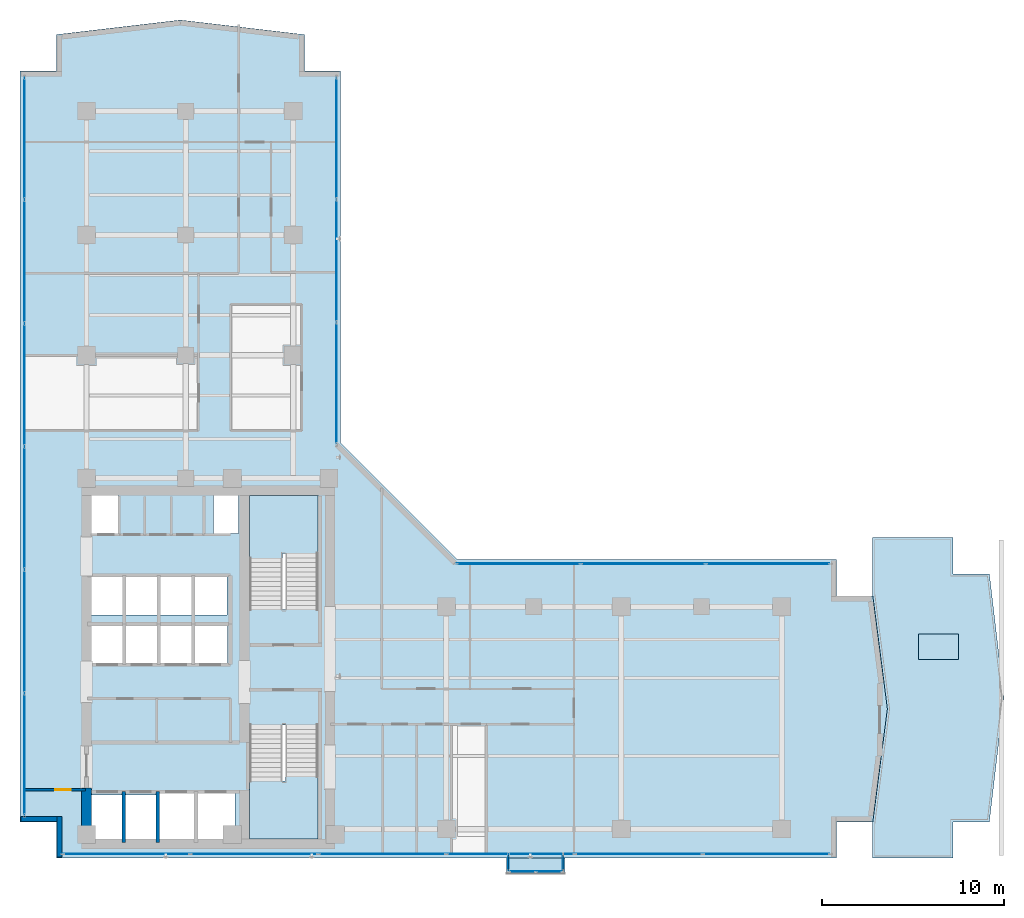
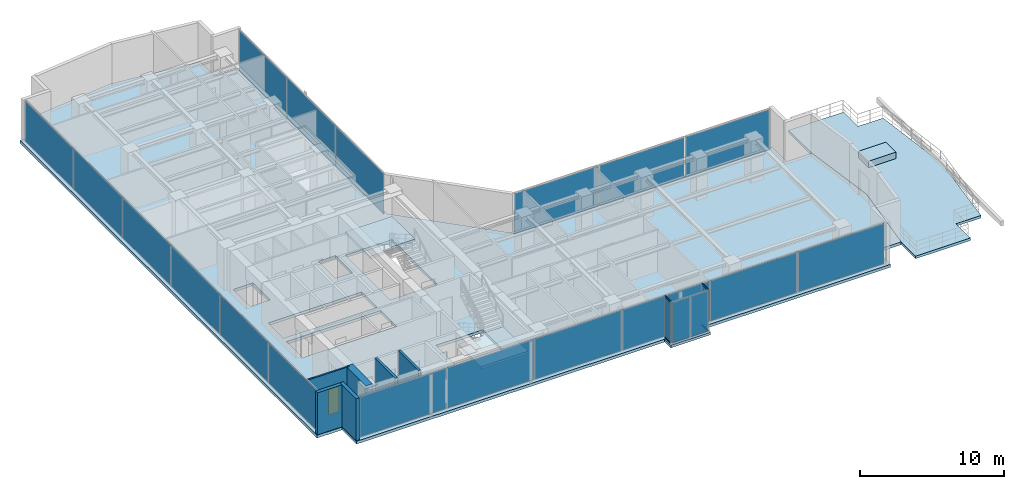
# One storey, part 16 of 25: 22 plates, 6 slabs, 6 walls, 4 members, 1 door, 1 opening, 9 elements without a shape of their own.
"""IFC4 building model written with IfcOpenShell, lengths in metres."""

from ifc_helpers import new_model, si_unit, direction, frame, frame_2d, origin, origin_with_axes, origin_2d, place, context, subcontext, project, spatial, polyline, rectangle, hollow_rectangle, outline, extrude, source, transform, mapped, material, layer, layer_set, material_profile, profile_set, type_object, element, fill, aggregate, save


model = new_model("IFC4")

# Units and contexts
model_context = context("Model", 3, precision=1e-05, world=origin(), true_north=direction((0.0, 1.0)))
body_context = subcontext(model_context, "Body", "Model", "MODEL_VIEW")
ifc_project = project(units=[si_unit("LENGTHUNIT", "METRE"), si_unit("AREAUNIT", "SQUARE_METRE"), si_unit("VOLUMEUNIT", "CUBIC_METRE"), si_unit("PLANEANGLEUNIT", "RADIAN"), si_unit("MASSUNIT", "GRAM", prefix="KILO")], contexts=[model_context])

# Site, building, storey
site_placement = place(None, origin())
site = spatial("IfcSite", under=ifc_project, at=site_placement, CompositionType="ELEMENT")
building_placement = place(site_placement, origin())
building = spatial("IfcBuilding", under=site, at=building_placement, Name="Kolvaren Waterfront Exchange", CompositionType="ELEMENT")
storey_placement = place(building_placement, frame((0.0, 0.0, 204.5)))
storey = spatial("IfcBuildingStorey", under=building, at=storey_placement, Name="L52", CompositionType="ELEMENT", Elevation=204.5)

# Curtain wall, members
ifc_material_1 = material(Name="Anodised bronze aluminium 6063-T6", Category="aluminium")
ifc_layer_1 = layer(ifc_material_1, 0.219970703125, Name="Anodised bronze aluminium 6063-T6")
ifc_layer_set_1 = layer_set([ifc_layer_1], Name="Anodised bronze aluminium 6063-T6")
curtain_wall_type_1 = type_object("IfcCurtainWallType", Name="ARC-CW-SYS3", PredefinedType="USERDEFINED", material=ifc_layer_set_1)
curtain_wall_1_placement = place(storey_placement, origin())
curtain_wall_1 = element("IfcCurtainWall", 1, at=curtain_wall_1_placement, inside=storey, type_object=curtain_wall_type_1, Name="L52 stick curtain wall CW3 (CW-L52-BOX-W)", ObjectType="STICK CURTAIN WALL", PredefinedType="USERDEFINED")
ifc_material_profile = material_profile(ifc_material_1, hollow_rectangle(XDim=0.06494140625, YDim=0.1298828125, WallThickness=0.00390625, at=origin_2d()), Name="ALU-TRN-130x65x4")
ifc_profile_set = profile_set([ifc_material_profile], Name="Anodised bronze aluminium 6063-T6")
member_type = type_object("IfcMemberType", Name="ARC-CWT-130", PredefinedType="USERDEFINED", material=ifc_profile_set)
shared_shape_1 = source(origin_with_axes(), body_context, "Body", "SweptSolid", [
    extrude(hollow_rectangle(XDim=0.06494140625, YDim=0.1298828125, WallThickness=0.00390625, at=origin_2d()), origin(), (0.0, 0.0, 1.0), 0.829833984375),
])
member_1_placement = place(storey_placement, frame((30.610107421875, 3.764892578125, 0.032470703125), z_axis=(0.0, -1.0, 0.0), x_axis=(1.0, 0.0, 0.0)))
member_1 = element("IfcMember", 2, at=member_1_placement, type_object=member_type, Name="CW3 transom 1.1", ObjectType="TRANSOM", PredefinedType="USERDEFINED", context=body_context, shape_type="MappedRepresentation", body=[
    mapped(shared_shape_1, transform((0.0, 0.0, 0.0), x_axis=(1.0, 0.0, 0.0), y_axis=(0.0, 1.0, 0.0), z_axis=(0.0, 0.0, 1.0), scale=1.0)),
])
member_2_placement = place(storey_placement, frame((30.610107421875, 3.764892578125, 3.527587890625), z_axis=(0.0, -1.0, 0.0), x_axis=(1.0, 0.0, 0.0)))
member_2 = element("IfcMember", 3, at=member_2_placement, type_object=member_type, Name="CW3 transom 1.2", ObjectType="TRANSOM", PredefinedType="USERDEFINED", context=body_context, shape_type="MappedRepresentation", body=[
    mapped(shared_shape_1, transform((0.0, 0.0, 0.0), x_axis=(1.0, 0.0, 0.0), y_axis=(0.0, 1.0, 0.0), z_axis=(0.0, 0.0, 1.0), scale=1.0)),
])

curtain_wall_2_placement = place(storey_placement, origin())
curtain_wall_2 = element("IfcCurtainWall", 4, at=curtain_wall_2_placement, inside=storey, type_object=curtain_wall_type_1, Name="L52 stick curtain wall CW3 (CW-L52-BOX-E)", ObjectType="STICK CURTAIN WALL", PredefinedType="USERDEFINED")
member_3_placement = place(storey_placement, frame((33.590087890625, 2.93505859375, 0.032470703125), z_axis=(0.0, 1.0, 0.0), x_axis=(-1.0, 0.0, 0.0)))
member_3 = element("IfcMember", 5, at=member_3_placement, type_object=member_type, Name="CW3 transom 1.1", ObjectType="TRANSOM", PredefinedType="USERDEFINED", context=body_context, shape_type="MappedRepresentation", body=[
    mapped(shared_shape_1, transform((0.0, 0.0, 0.0), x_axis=(1.0, 0.0, 0.0), y_axis=(0.0, 1.0, 0.0), z_axis=(0.0, 0.0, 1.0), scale=1.0)),
])
member_4_placement = place(storey_placement, frame((33.590087890625, 2.93505859375, 3.527587890625), z_axis=(0.0, 1.0, 0.0), x_axis=(-1.0, 0.0, 0.0)))
member_4 = element("IfcMember", 6, at=member_4_placement, type_object=member_type, Name="CW3 transom 1.2", ObjectType="TRANSOM", PredefinedType="USERDEFINED", context=body_context, shape_type="MappedRepresentation", body=[
    mapped(shared_shape_1, transform((0.0, 0.0, 0.0), x_axis=(1.0, 0.0, 0.0), y_axis=(0.0, 1.0, 0.0), z_axis=(0.0, 0.0, 1.0), scale=1.0)),
])

# Stair, slab
ifc_material_2 = material(Name="Concrete C40/50", Category="concrete")
stair_type = type_object("IfcStairType", Name="ARC-STAIR-3800", PredefinedType="HALF_TURN_STAIR", material=ifc_material_2)
stair_1_placement = place(storey_placement, origin())
stair_1 = element("IfcStair", 7, at=stair_1_placement, inside=storey, type_object=stair_type, Name="L52 Smoke-proof exit stair ST1", PredefinedType="HALF_TURN_STAIR")
ifc_layer_2 = layer(ifc_material_2, 0.199951171875, Name="Concrete C40/50")
ifc_layer_set_2 = layer_set([ifc_layer_2], Name="Concrete C40/50")
slab_type_1 = type_object("IfcSlabType", Name="STR-LANDING-200", PredefinedType="LANDING", material=ifc_layer_set_2)
slab_1_placement = place(storey_placement, frame((0.0, 0.0, 1.77587890625)))
slab_1 = element("IfcSlab", 8, at=slab_1_placement, type_object=slab_type_1, Name="ST1 landing 1", PredefinedType="LANDING", context=body_context, shape_type="SweptSolid", body=[
    extrude(outline(polyline([(16.39990234375, 7.840087890625), (16.39990234375, 4.64990234375), (20.159912109375, 4.64990234375), (20.159912109375, 8.10009765625), (18.360107421875, 8.10009765625), (18.360107421875, 7.840087890625), (16.39990234375, 7.840087890625)])), origin(), (0.0, 0.0, 1.0), 0.2001953125),
])
aggregate(stair_1, [slab_1])

stair_2_placement = place(storey_placement, origin())
stair_2 = element("IfcStair", 9, at=stair_2_placement, inside=storey, type_object=stair_type, Name="L52 Smoke-proof exit stair ST2", PredefinedType="HALF_TURN_STAIR")
slab_2_placement = place(storey_placement, frame((0.0, 0.0, 1.77587890625)))
slab_2 = element("IfcSlab", 10, at=slab_2_placement, type_object=slab_type_1, Name="ST2 landing 1", PredefinedType="LANDING", context=body_context, shape_type="SweptSolid", body=[
    extrude(outline(polyline([(20.159912109375, 20.31005859375), (20.159912109375, 23.5), (16.39990234375, 23.5), (16.39990234375, 20.050048828125), (18.199951171875, 20.050048828125), (18.199951171875, 20.31005859375), (20.159912109375, 20.31005859375)])), origin(), (0.0, 0.0, 1.0), 0.2001953125),
])
aggregate(stair_2, [slab_2])

# Slabs
ifc_material_3 = material(Name="Precast concrete C40/50", Category="concrete")
ifc_layer_3 = layer(ifc_material_3, 0.159912109375, Name="Precast concrete C40/50")
ifc_layer_set_3 = layer_set([ifc_layer_3], Name="Precast concrete C40/50")
slab_type_2 = type_object("IfcSlabType", Name="STR-PLANTER-160", PredefinedType="USERDEFINED", material=ifc_layer_set_3)
slab_3_placement = place(storey_placement, origin())
element("IfcSlab", 11, at=slab_3_placement, inside=storey, type_object=slab_type_2, Name="L52 planted sky-garden structural planter 1", ObjectType="PLANTER", PredefinedType="USERDEFINED", context=body_context, shape_type="SweptSolid", body=[
    extrude(outline(polyline([(53.115966796875, 14.5), (55.31591796875, 14.5), (55.31591796875, 15.89990234375), (53.115966796875, 15.89990234375), (53.115966796875, 14.5)])), origin(), (0.0, 0.0, 1.0), 0.550048828125),
])
ifc_layer_4 = layer(ifc_material_2, 0.239990234375, Name="Concrete C40/50")
ifc_layer_set_4 = layer_set([ifc_layer_4], Name="Concrete C40/50")
slab_type_3 = type_object("IfcSlabType", Name="STR-SLAB-240", PredefinedType="FLOOR", material=ifc_layer_set_4)
slab_4_placement = place(storey_placement, frame((0.0, 0.0, -0.239990234375)))
element("IfcSlab", 12, at=slab_4_placement, inside=storey, type_object=slab_type_3, Name="L52 structural floor slab", PredefinedType="FLOOR", context=body_context, shape_type="SweptSolid", body=[
    extrude(outline(polyline([(5.800048828125, 3.60009765625), (48.60009765625, 3.60009765625), (48.60009765625, 5.60009765625), (50.60009765625, 5.60009765625), (51.39990234375, 11.800048828125), (50.60009765625, 18.0), (48.60009765625, 18.0), (48.60009765625, 20.0), (27.800048828125, 20.0), (21.39990234375, 26.39990234375), (21.39990234375, 46.800048828125), (19.39990234375, 46.800048828125), (19.39990234375, 48.800048828125), (12.60009765625, 49.60009765625), (5.800048828125, 48.800048828125), (5.800048828125, 46.800048828125), (3.800048828125, 46.800048828125), (3.800048828125, 5.60009765625), (5.800048828125, 5.60009765625), (5.800048828125, 3.60009765625)]), holes=[polyline([(11.320068359375, 7.260009765625), (15.610107421875, 7.260009765625), (15.610107421875, 4.5400390625), (7.719970703125, 4.5400390625), (7.719970703125, 7.06005859375), (11.320068359375, 7.06005859375), (11.320068359375, 7.260009765625)]), polyline([(20.159912109375, 10.89990234375), (20.159912109375, 4.64990234375), (16.39990234375, 4.64990234375), (16.39990234375, 10.89990234375), (20.159912109375, 10.89990234375)]), polyline([(15.18505859375, 14.239990234375), (7.64501953125, 14.239990234375), (7.64501953125, 16.4599609375), (15.18505859375, 16.4599609375), (15.18505859375, 14.239990234375)]), polyline([(15.159912109375, 16.93994140625), (7.669921875, 16.93994140625), (7.669921875, 19.06005859375), (15.159912109375, 19.06005859375), (15.159912109375, 16.93994140625)]), polyline([(16.39990234375, 17.25), (16.39990234375, 23.5), (20.159912109375, 23.5), (20.159912109375, 17.25), (16.39990234375, 17.25)]), polyline([(7.60009765625, 23.780029296875), (9.179931640625, 23.780029296875), (9.179931640625, 21.419921875), (7.60009765625, 21.419921875), (7.60009765625, 23.780029296875)]), polyline([(14.419921875, 23.780029296875), (15.800048828125, 23.780029296875), (15.800048828125, 21.419921875), (14.419921875, 21.419921875), (14.419921875, 23.780029296875)])]), origin(), (0.0, 0.0, 1.0), 0.239990234375),
])
ifc_layer_5 = layer(ifc_material_2, 0.219970703125, Name="Concrete C40/50")
ifc_layer_set_5 = layer_set([ifc_layer_5], Name="Concrete C40/50")
slab_type_4 = type_object("IfcSlabType", Name="STR-TERR-220", PredefinedType="FLOOR", material=ifc_layer_set_5)
slab_5_placement = place(storey_placement, frame((0.0, 0.0, -0.219970703125)))
element("IfcSlab", 13, at=slab_5_placement, inside=storey, type_object=slab_type_4, Name="L52 east planted sky-garden terrace slab 1", PredefinedType="FLOOR", context=body_context, shape_type="SweptSolid", body=[
    extrude(outline(polyline([(55.0, 21.199951171875), (55.0, 19.199951171875), (57.0, 19.199951171875), (57.800048828125, 12.39990234375), (57.0, 5.60009765625), (55.0, 5.60009765625), (55.0, 3.60009765625), (50.590087890625, 3.60009765625), (50.590087890625, 5.60009765625), (50.60009765625, 5.60009765625), (51.39990234375, 11.800048828125), (50.60009765625, 18.0), (50.590087890625, 18.0), (50.590087890625, 21.199951171875), (55.0, 21.199951171875)])), origin(), (0.0, 0.0, 1.0), 0.219970703125),
])
slab_6_placement = place(storey_placement, frame((0.0, 0.0, -0.219970703125)))
element("IfcSlab", 14, at=slab_6_placement, inside=storey, type_object=slab_type_4, Name="L52 projecting bay-box floor strip", PredefinedType="FLOOR", context=body_context, shape_type="SweptSolid", body=[
    extrude(outline(polyline([(30.5, 2.75), (33.699951171875, 2.75), (33.699951171875, 3.60009765625), (30.5, 3.60009765625), (30.5, 2.75)])), origin(), (0.0, 0.0, 1.0), 0.219970703125),
])

# Plate
ifc_material_4 = material(Name="Bronze tinted bay-box vision glass", Category="aluminium")
ifc_layer_6 = layer(ifc_material_4, 0.02392578125, Name="Bronze tinted bay-box vision glass")
ifc_layer_set_6 = layer_set([ifc_layer_6], Name="Bronze tinted bay-box vision glass")
plate_type_1 = type_object("IfcPlateType", Name="ARC-CWP-24", PredefinedType="CURTAIN_PANEL", material=ifc_layer_set_6)
shared_shape_2 = source(origin_with_axes(), body_context, "Body", "SweptSolid", [
    extrude(rectangle(XDim=0.830078125, YDim=0.02392578125, at=origin_2d()), origin(), (0.0, 0.0, 1.0), 3.429931640625),
])
plate_1_placement = place(storey_placement, frame((30.610107421875, 3.35009765625, 0.06494140625), z_axis=(0.0, 0.0, 1.0), x_axis=(0.0, -1.0, 0.0)))
plate_1 = element("IfcPlate", 15, at=plate_1_placement, type_object=plate_type_1, Name="CW3 panel 1.1", PredefinedType="CURTAIN_PANEL", context=body_context, shape_type="MappedRepresentation", body=[
    mapped(shared_shape_2, transform((0.0, 0.0, 0.0), x_axis=(1.0, 0.0, 0.0), y_axis=(0.0, 1.0, 0.0), z_axis=(0.0, 0.0, 1.0), scale=1.0)),
])

aggregate(curtain_wall_1, [member_1, member_2, plate_1])

plate_2_placement = place(storey_placement, frame((33.590087890625, 3.35009765625, 0.06494140625), z_axis=(0.0, 0.0, 1.0), x_axis=(0.0, 1.0, 0.0)))
plate_2 = element("IfcPlate", 16, at=plate_2_placement, type_object=plate_type_1, Name="CW3 panel 1.1", PredefinedType="CURTAIN_PANEL", context=body_context, shape_type="MappedRepresentation", body=[
    mapped(shared_shape_2, transform((0.0, 0.0, 0.0), x_axis=(1.0, 0.0, 0.0), y_axis=(0.0, 1.0, 0.0), z_axis=(0.0, 0.0, 1.0), scale=1.0)),
])

aggregate(curtain_wall_2, [member_3, member_4, plate_2])

# Curtain wall, plates
curtain_wall_3_placement = place(storey_placement, origin())
curtain_wall_3 = element("IfcCurtainWall", 17, at=curtain_wall_3_placement, inside=storey, type_object=curtain_wall_type_1, Name="L52 stick curtain wall CW3 (CW-L52-BOX)", ObjectType="STICK CURTAIN WALL", PredefinedType="USERDEFINED")
shared_shape_3 = source(origin_with_axes(), body_context, "Body", "SweptSolid", [
    extrude(rectangle(XDim=1.37744140625, YDim=0.02392578125, at=origin_2d()), origin(), (0.0, 0.0, 1.0), 3.429931640625),
])
plate_3_placement = place(storey_placement, frame((31.373779296875, 2.860107421875, 0.06494140625), z_axis=(0.0, 0.0, 1.0), x_axis=(1.0, 0.0, 0.0)))
plate_3 = element("IfcPlate", 18, at=plate_3_placement, type_object=plate_type_1, Name="CW3 panel 1.1", PredefinedType="CURTAIN_PANEL", context=body_context, shape_type="MappedRepresentation", body=[
    mapped(shared_shape_3, transform((0.0, 0.0, 0.0), x_axis=(1.0, 0.0, 0.0), y_axis=(0.0, 1.0, 0.0), z_axis=(0.0, 0.0, 1.0), scale=1.0)),
])
plate_4_placement = place(storey_placement, frame((32.826171875, 2.860107421875, 0.06494140625), z_axis=(0.0, 0.0, 1.0), x_axis=(1.0, 0.0, 0.0)))
plate_4 = element("IfcPlate", 19, at=plate_4_placement, type_object=plate_type_1, Name="CW3 panel 2.1", PredefinedType="CURTAIN_PANEL", context=body_context, shape_type="MappedRepresentation", body=[
    mapped(shared_shape_3, transform((0.0, 0.0, 0.0), x_axis=(1.0, 0.0, 0.0), y_axis=(0.0, 1.0, 0.0), z_axis=(0.0, 0.0, 1.0), scale=1.0)),
])
aggregate(curtain_wall_3, [plate_3, plate_4])

ifc_material_5 = material(Name="Anodised aluminium 6063-T6", Category="aluminium")
ifc_layer_7 = layer(ifc_material_5, 0.219970703125, Name="Anodised aluminium 6063-T6")
ifc_layer_set_7 = layer_set([ifc_layer_7], Name="Anodised aluminium 6063-T6")
curtain_wall_type_2 = type_object("IfcCurtainWallType", Name="ARC-CW-SYS2", PredefinedType="USERDEFINED", material=ifc_layer_set_7)
curtain_wall_4_placement = place(storey_placement, origin())
curtain_wall_4 = element("IfcCurtainWall", 20, at=curtain_wall_4_placement, inside=storey, type_object=curtain_wall_type_2, Name="L52 stick curtain wall CW2 (CW-L52-W)", ObjectType="STICK CURTAIN WALL", PredefinedType="USERDEFINED")
ifc_material_6 = material(Name="Acoustic laminated vision glass", Category="glass")
ifc_layer_8 = layer(ifc_material_6, 0.031982421875, Name="Acoustic laminated vision glass")
ifc_layer_set_8 = layer_set([ifc_layer_8], Name="Acoustic laminated vision glass")
plate_type_2 = type_object("IfcPlateType", Name="ARC-CWP-32", PredefinedType="CURTAIN_PANEL", material=ifc_layer_set_8)
shared_shape_4 = source(origin_with_axes(), body_context, "Body", "SweptSolid", [
    extrude(rectangle(XDim=6.646728515625, YDim=0.031982421875, at=origin_2d()), origin(), (0.0, 0.0, 1.0), 3.409912109375),
])
plate_5_placement = place(storey_placement, frame((4.0400390625, 9.30322265625, 0.0751953125), z_axis=(0.0, 0.0, 1.0), x_axis=(0.0, 1.0, 0.0)))
plate_5 = element("IfcPlate", 21, at=plate_5_placement, type_object=plate_type_2, Name="CW2 panel 1.1", PredefinedType="CURTAIN_PANEL", context=body_context, shape_type="MappedRepresentation", body=[
    mapped(shared_shape_4, transform((0.0, 0.0, 0.0), x_axis=(1.0, 0.0, 0.0), y_axis=(0.0, 1.0, 0.0), z_axis=(0.0, 0.0, 1.0), scale=1.0)),
])
plate_6_placement = place(storey_placement, frame((4.0400390625, 43.0966796875, 0.0751953125), z_axis=(0.0, 0.0, 1.0), x_axis=(0.0, 1.0, 0.0)))
plate_6 = element("IfcPlate", 22, at=plate_6_placement, type_object=plate_type_2, Name="CW2 panel 6.1", PredefinedType="CURTAIN_PANEL", context=body_context, shape_type="MappedRepresentation", body=[
    mapped(shared_shape_4, transform((0.0, 0.0, 0.0), x_axis=(1.0, 0.0, 0.0), y_axis=(0.0, 1.0, 0.0), z_axis=(0.0, 0.0, 1.0), scale=1.0)),
])
shared_shape_5 = source(origin_with_axes(), body_context, "Body", "SweptSolid", [
    extrude(rectangle(XDim=6.686767578125, YDim=0.031982421875, at=origin_2d()), origin(), (0.0, 0.0, 1.0), 3.409912109375),
])
plate_7_placement = place(storey_placement, frame((4.0400390625, 16.050048828125, 0.0751953125), z_axis=(0.0, 0.0, 1.0), x_axis=(0.0, 1.0, 0.0)))
plate_7 = element("IfcPlate", 23, at=plate_7_placement, type_object=plate_type_2, Name="CW2 panel 2.1", PredefinedType="CURTAIN_PANEL", context=body_context, shape_type="MappedRepresentation", body=[
    mapped(shared_shape_5, transform((0.0, 0.0, 0.0), x_axis=(1.0, 0.0, 0.0), y_axis=(0.0, 1.0, 0.0), z_axis=(0.0, 0.0, 1.0), scale=1.0)),
])
plate_8_placement = place(storey_placement, frame((4.0400390625, 22.816650390625, 0.0751953125), z_axis=(0.0, 0.0, 1.0), x_axis=(0.0, 1.0, 0.0)))
plate_8 = element("IfcPlate", 24, at=plate_8_placement, type_object=plate_type_2, Name="CW2 panel 3.1", PredefinedType="CURTAIN_PANEL", context=body_context, shape_type="MappedRepresentation", body=[
    mapped(shared_shape_5, transform((0.0, 0.0, 0.0), x_axis=(1.0, 0.0, 0.0), y_axis=(0.0, 1.0, 0.0), z_axis=(0.0, 0.0, 1.0), scale=1.0)),
])
plate_9_placement = place(storey_placement, frame((4.0400390625, 29.583251953125, 0.0751953125), z_axis=(0.0, 0.0, 1.0), x_axis=(0.0, 1.0, 0.0)))
plate_9 = element("IfcPlate", 25, at=plate_9_placement, type_object=plate_type_2, Name="CW2 panel 4.1", PredefinedType="CURTAIN_PANEL", context=body_context, shape_type="MappedRepresentation", body=[
    mapped(shared_shape_5, transform((0.0, 0.0, 0.0), x_axis=(1.0, 0.0, 0.0), y_axis=(0.0, 1.0, 0.0), z_axis=(0.0, 0.0, 1.0), scale=1.0)),
])
plate_10_placement = place(storey_placement, frame((4.0400390625, 36.35009765625, 0.0751953125), z_axis=(0.0, 0.0, 1.0), x_axis=(0.0, 1.0, 0.0)))
plate_10 = element("IfcPlate", 26, at=plate_10_placement, type_object=plate_type_2, Name="CW2 panel 5.1", PredefinedType="CURTAIN_PANEL", context=body_context, shape_type="MappedRepresentation", body=[
    mapped(shared_shape_5, transform((0.0, 0.0, 0.0), x_axis=(1.0, 0.0, 0.0), y_axis=(0.0, 1.0, 0.0), z_axis=(0.0, 0.0, 1.0), scale=1.0)),
])
aggregate(curtain_wall_4, [plate_5, plate_7, plate_8, plate_9, plate_10, plate_6])

ifc_layer_9 = layer(ifc_material_1, 0.219970703125, Name="Anodised bronze aluminium 6063-T6")
ifc_layer_set_9 = layer_set([ifc_layer_9], Name="Anodised bronze aluminium 6063-T6")
curtain_wall_type_3 = type_object("IfcCurtainWallType", Name="ARC-CW-SYS1", PredefinedType="USERDEFINED", material=ifc_layer_set_9)
curtain_wall_5_placement = place(storey_placement, origin())
curtain_wall_5 = element("IfcCurtainWall", 27, at=curtain_wall_5_placement, inside=storey, type_object=curtain_wall_type_3, Name="L52 stick curtain wall CW1 (CW-L52-S)", ObjectType="STICK CURTAIN WALL", PredefinedType="USERDEFINED")
ifc_material_7 = material(Name="Bronze solar control vision glass", Category="aluminium")
ifc_layer_10 = layer(ifc_material_7, 0.028076171875, Name="Bronze solar control vision glass")
ifc_layer_set_10 = layer_set([ifc_layer_10], Name="Bronze solar control vision glass")
plate_type_3 = type_object("IfcPlateType", Name="ARC-CWP-28", PredefinedType="CURTAIN_PANEL", material=ifc_layer_set_10)
shared_shape_6 = source(origin_with_axes(), body_context, "Body", "SweptSolid", [
    extrude(rectangle(XDim=6.913330078125, YDim=0.028076171875, at=origin_2d()), origin(), (0.0, 0.0, 1.0), 3.409912109375),
])
plate_11_placement = place(storey_placement, frame((9.63671875, 3.840087890625, 0.0751953125), z_axis=(0.0, 0.0, 1.0), x_axis=(1.0, 0.0, 0.0)))
plate_11 = element("IfcPlate", 28, at=plate_11_placement, type_object=plate_type_3, Name="CW1 panel 1.1", PredefinedType="CURTAIN_PANEL", context=body_context, shape_type="MappedRepresentation", body=[
    mapped(shared_shape_6, transform((0.0, 0.0, 0.0), x_axis=(1.0, 0.0, 0.0), y_axis=(0.0, 1.0, 0.0), z_axis=(0.0, 0.0, 1.0), scale=1.0)),
])
plate_12_placement = place(storey_placement, frame((44.763427734375, 3.840087890625, 0.0751953125), z_axis=(0.0, 0.0, 1.0), x_axis=(1.0, 0.0, 0.0)))
plate_12 = element("IfcPlate", 29, at=plate_12_placement, type_object=plate_type_3, Name="CW1 panel 6.1", PredefinedType="CURTAIN_PANEL", context=body_context, shape_type="MappedRepresentation", body=[
    mapped(shared_shape_6, transform((0.0, 0.0, 0.0), x_axis=(1.0, 0.0, 0.0), y_axis=(0.0, 1.0, 0.0), z_axis=(0.0, 0.0, 1.0), scale=1.0)),
])
shared_shape_7 = source(origin_with_axes(), body_context, "Body", "SweptSolid", [
    extrude(rectangle(XDim=6.953369140625, YDim=0.028076171875, at=origin_2d()), origin(), (0.0, 0.0, 1.0), 3.409912109375),
])
plate_13_placement = place(storey_placement, frame((16.64990234375, 3.840087890625, 0.0751953125), z_axis=(0.0, 0.0, 1.0), x_axis=(1.0, 0.0, 0.0)))
plate_13 = element("IfcPlate", 30, at=plate_13_placement, type_object=plate_type_3, Name="CW1 panel 2.1", PredefinedType="CURTAIN_PANEL", context=body_context, shape_type="MappedRepresentation", body=[
    mapped(shared_shape_7, transform((0.0, 0.0, 0.0), x_axis=(1.0, 0.0, 0.0), y_axis=(0.0, 1.0, 0.0), z_axis=(0.0, 0.0, 1.0), scale=1.0)),
])
plate_14_placement = place(storey_placement, frame((23.683349609375, 3.840087890625, 0.0751953125), z_axis=(0.0, 0.0, 1.0), x_axis=(1.0, 0.0, 0.0)))
plate_14 = element("IfcPlate", 31, at=plate_14_placement, type_object=plate_type_3, Name="CW1 panel 3.1", PredefinedType="CURTAIN_PANEL", context=body_context, shape_type="MappedRepresentation", body=[
    mapped(shared_shape_7, transform((0.0, 0.0, 0.0), x_axis=(1.0, 0.0, 0.0), y_axis=(0.0, 1.0, 0.0), z_axis=(0.0, 0.0, 1.0), scale=1.0)),
])
plate_15_placement = place(storey_placement, frame((30.716552734375, 3.840087890625, 0.0751953125), z_axis=(0.0, 0.0, 1.0), x_axis=(1.0, 0.0, 0.0)))
plate_15 = element("IfcPlate", 32, at=plate_15_placement, type_object=plate_type_3, Name="CW1 panel 4.1", PredefinedType="CURTAIN_PANEL", context=body_context, shape_type="MappedRepresentation", body=[
    mapped(shared_shape_7, transform((0.0, 0.0, 0.0), x_axis=(1.0, 0.0, 0.0), y_axis=(0.0, 1.0, 0.0), z_axis=(0.0, 0.0, 1.0), scale=1.0)),
])
plate_16_placement = place(storey_placement, frame((37.75, 3.840087890625, 0.0751953125), z_axis=(0.0, 0.0, 1.0), x_axis=(1.0, 0.0, 0.0)))
plate_16 = element("IfcPlate", 33, at=plate_16_placement, type_object=plate_type_3, Name="CW1 panel 5.1", PredefinedType="CURTAIN_PANEL", context=body_context, shape_type="MappedRepresentation", body=[
    mapped(shared_shape_7, transform((0.0, 0.0, 0.0), x_axis=(1.0, 0.0, 0.0), y_axis=(0.0, 1.0, 0.0), z_axis=(0.0, 0.0, 1.0), scale=1.0)),
])
aggregate(curtain_wall_5, [plate_11, plate_13, plate_14, plate_15, plate_16, plate_12])

curtain_wall_6_placement = place(storey_placement, origin())
curtain_wall_6 = element("IfcCurtainWall", 34, at=curtain_wall_6_placement, inside=storey, type_object=curtain_wall_type_3, Name="L52 stick curtain wall CW1 (CW-L52-NE)", ObjectType="STICK CURTAIN WALL", PredefinedType="USERDEFINED")
shared_shape_8 = source(origin_with_axes(), body_context, "Body", "SweptSolid", [
    extrude(rectangle(XDim=6.61669921875, YDim=0.028076171875, at=origin_2d()), origin(), (0.0, 0.0, 1.0), 3.409912109375),
])
plate_17_placement = place(storey_placement, frame((21.159912109375, 29.67822265625, 0.0751953125), z_axis=(0.0, 0.0, 1.0), x_axis=(0.0, 1.0, 0.0)))
plate_17 = element("IfcPlate", 35, at=plate_17_placement, type_object=plate_type_3, Name="CW1 panel 1.1", PredefinedType="CURTAIN_PANEL", context=body_context, shape_type="MappedRepresentation", body=[
    mapped(shared_shape_8, transform((0.0, 0.0, 0.0), x_axis=(1.0, 0.0, 0.0), y_axis=(0.0, 1.0, 0.0), z_axis=(0.0, 0.0, 1.0), scale=1.0)),
])
plate_18_placement = place(storey_placement, frame((21.159912109375, 43.111572265625, 0.0751953125), z_axis=(0.0, 0.0, 1.0), x_axis=(0.0, 1.0, 0.0)))
plate_18 = element("IfcPlate", 36, at=plate_18_placement, type_object=plate_type_3, Name="CW1 panel 3.1", PredefinedType="CURTAIN_PANEL", context=body_context, shape_type="MappedRepresentation", body=[
    mapped(shared_shape_8, transform((0.0, 0.0, 0.0), x_axis=(1.0, 0.0, 0.0), y_axis=(0.0, 1.0, 0.0), z_axis=(0.0, 0.0, 1.0), scale=1.0)),
])
shared_shape_9 = source(origin_with_axes(), body_context, "Body", "SweptSolid", [
    extrude(rectangle(XDim=6.65673828125, YDim=0.028076171875, at=origin_2d()), origin(), (0.0, 0.0, 1.0), 3.409912109375),
])
plate_19_placement = place(storey_placement, frame((21.159912109375, 36.39501953125, 0.0751953125), z_axis=(0.0, 0.0, 1.0), x_axis=(0.0, 1.0, 0.0)))
plate_19 = element("IfcPlate", 37, at=plate_19_placement, type_object=plate_type_3, Name="CW1 panel 2.1", PredefinedType="CURTAIN_PANEL", context=body_context, shape_type="MappedRepresentation", body=[
    mapped(shared_shape_9, transform((0.0, 0.0, 0.0), x_axis=(1.0, 0.0, 0.0), y_axis=(0.0, 1.0, 0.0), z_axis=(0.0, 0.0, 1.0), scale=1.0)),
])
aggregate(curtain_wall_6, [plate_17, plate_19, plate_18])

curtain_wall_7_placement = place(storey_placement, origin())
curtain_wall_7 = element("IfcCurtainWall", 38, at=curtain_wall_7_placement, inside=storey, type_object=curtain_wall_type_3, Name="L52 stick curtain wall CW1 (CW-L52-EN)", ObjectType="STICK CURTAIN WALL", PredefinedType="USERDEFINED")
shared_shape_10 = source(origin_with_axes(), body_context, "Body", "SweptSolid", [
    extrude(rectangle(XDim=6.75, YDim=0.028076171875, at=origin_2d()), origin(), (0.0, 0.0, 1.0), 3.409912109375),
])
plate_20_placement = place(storey_placement, frame((31.14501953125, 19.760009765625, 0.0751953125), z_axis=(0.0, 0.0, 1.0), x_axis=(1.0, 0.0, 0.0)))
plate_20 = element("IfcPlate", 39, at=plate_20_placement, type_object=plate_type_3, Name="CW1 panel 1.1", PredefinedType="CURTAIN_PANEL", context=body_context, shape_type="MappedRepresentation", body=[
    mapped(shared_shape_10, transform((0.0, 0.0, 0.0), x_axis=(1.0, 0.0, 0.0), y_axis=(0.0, 1.0, 0.0), z_axis=(0.0, 0.0, 1.0), scale=1.0)),
])
plate_21_placement = place(storey_placement, frame((44.844970703125, 19.760009765625, 0.0751953125), z_axis=(0.0, 0.0, 1.0), x_axis=(1.0, 0.0, 0.0)))
plate_21 = element("IfcPlate", 40, at=plate_21_placement, type_object=plate_type_3, Name="CW1 panel 3.1", PredefinedType="CURTAIN_PANEL", context=body_context, shape_type="MappedRepresentation", body=[
    mapped(shared_shape_10, transform((0.0, 0.0, 0.0), x_axis=(1.0, 0.0, 0.0), y_axis=(0.0, 1.0, 0.0), z_axis=(0.0, 0.0, 1.0), scale=1.0)),
])
shared_shape_11 = source(origin_with_axes(), body_context, "Body", "SweptSolid", [
    extrude(rectangle(XDim=6.7900390625, YDim=0.028076171875, at=origin_2d()), origin(), (0.0, 0.0, 1.0), 3.409912109375),
])
plate_22_placement = place(storey_placement, frame((37.9951171875, 19.760009765625, 0.0751953125), z_axis=(0.0, 0.0, 1.0), x_axis=(1.0, 0.0, 0.0)))
plate_22 = element("IfcPlate", 41, at=plate_22_placement, type_object=plate_type_3, Name="CW1 panel 2.1", PredefinedType="CURTAIN_PANEL", context=body_context, shape_type="MappedRepresentation", body=[
    mapped(shared_shape_11, transform((0.0, 0.0, 0.0), x_axis=(1.0, 0.0, 0.0), y_axis=(0.0, 1.0, 0.0), z_axis=(0.0, 0.0, 1.0), scale=1.0)),
])
aggregate(curtain_wall_7, [plate_20, plate_22, plate_21])

# Walls
ifc_layer_11 = layer(ifc_material_3, 0.280029296875, Name="Precast concrete C40/50")
ifc_layer_set_11 = layer_set([ifc_layer_11], Name="Precast concrete C40/50")
wall_type_1 = type_object("IfcWallType", Name="ARC-EXT-TERR-280", PredefinedType="SOLIDWALL", material=ifc_layer_set_11)
wall_1_placement = place(storey_placement, frame((5.9599609375, 3.659912109375, 0.0), z_axis=(0.0, 0.0, 1.0), x_axis=(0.0, 1.0, 0.0)))
element("IfcWall", 42, at=wall_1_placement, inside=storey, type_object=wall_type_1, Name="L52 notched corner spandrel pier SW-A", PredefinedType="SOLIDWALL", context=body_context, shape_type="SweptSolid", body=[
    extrude(rectangle(XDim=2.239990234375, YDim=0.280029296875, at=frame_2d((1.1201171875, 0.0))), origin(), (0.0, 0.0, 1.0), 3.56005859375),
])
wall_2_placement = place(storey_placement, frame((3.860107421875, 5.760009765625, 0.0), z_axis=(0.0, 0.0, 1.0), x_axis=(1.0, 0.0, 0.0)))
element("IfcWall", 43, at=wall_2_placement, inside=storey, type_object=wall_type_1, Name="L52 notched corner spandrel pier SW-B", PredefinedType="SOLIDWALL", context=body_context, shape_type="SweptSolid", body=[
    extrude(rectangle(XDim=1.9599609375, YDim=0.280029296875, at=frame_2d((0.97998046875, 0.0))), origin(), (0.0, 0.0, 1.0), 3.56005859375),
])

# Wall, opening, door
ifc_material_8 = material(Name="Acoustic gypsum steel stud", Category="steel")
ifc_layer_12 = layer(ifc_material_8, 0.125, Name="Acoustic gypsum steel stud")
ifc_layer_set_12 = layer_set([ifc_layer_12], Name="Acoustic gypsum steel stud")
wall_type_2 = type_object("IfcWallType", Name="ARC-PART-125", PredefinedType="PARTITIONING", material=ifc_layer_set_12)
wall_3_placement = place(storey_placement, frame((4.0400390625, 7.35009765625, 0.0), z_axis=(0.0, 0.0, 1.0), x_axis=(1.0, 0.0, 0.0)))
wall_3 = element("IfcWall", 44, at=wall_3_placement, inside=storey, type_object=wall_type_2, Name="L52 interior wall PW-L52-SWC-N", PredefinedType="PARTITIONING", context=body_context, shape_type="SweptSolid", body=[
    extrude(rectangle(XDim=3.35986328125, YDim=0.125, at=frame_2d((1.679931640625, 0.0))), origin(), (0.0, 0.0, 1.0), 3.56005859375),
])
opening_placement = place(wall_3_placement, frame((1.686767578125, 0.0, 0.0)))
opening = element("IfcOpeningElement", 45, at=opening_placement, cuts=wall_3, Name="Opening D01", PredefinedType="OPENING", context=body_context, shape_type="SweptSolid", body=[
    extrude(rectangle(XDim=0.85009765625, YDim=2.14990234375, at=frame_2d((0.425048828125, 1.074951171875))), frame((0.0, 0.072509765625, 0.0), z_axis=(0.0, -1.0, 0.0), x_axis=(1.0, 0.0, 0.0)), (0.0, 0.0, 1.0), 0.14501953125),
])
ifc_material_9 = material(Name="Oak veneer timber leaf", Category="wood")
door_type = type_object("IfcDoorType", Name="ARC-DR-900", OperationType="NOTDEFINED", PredefinedType="DOOR", material=ifc_material_9)
door_placement = place(opening_placement, origin())
door = element("IfcDoor", 46, at=door_placement, inside=storey, type_object=door_type, Name="L52 door DR-L52-SWC-D (D01)", OperationType="SINGLE_SWING_LEFT", OverallHeight=2.14990234375, OverallWidth=0.85009765625, PredefinedType="DOOR", context=body_context, shape_type="SweptSolid", body=[
    extrude(rectangle(XDim=0.85009765625, YDim=2.14990234375, at=frame_2d((0.425048828125, 1.074951171875))), frame((0.0, 0.02490234375, 0.0), z_axis=(0.0, -1.0, 0.0), x_axis=(1.0, 0.0, 0.0)), (0.0, 0.0, 1.0), 0.050048828125),
])
fill(opening, door)

# Walls
ifc_layer_13 = layer(ifc_material_2, 0.199951171875, Name="Concrete C40/50")
ifc_layer_set_13 = layer_set([ifc_layer_13], Name="Concrete C40/50")
wall_type_3 = type_object("IfcWallType", Name="ARC-SHAFT-200", PredefinedType="PARTITIONING", material=ifc_layer_set_13)
for number, where, z_axis, x_axis, name in (
    (47, (9.5, 4.449951171875, 0.0), (0.0, 0.0, 1.0), (0.0, 1.0, 0.0), "L52 interior wall PW-L52-SH1-DIV-95"),
    (48, (11.360107421875, 4.449951171875, 0.0), (0.0, 0.0, 1.0), (0.0, 1.0, 0.0), "L52 interior wall PW-L52-SH1-DIV-113"),
):
    element("IfcWall", number, at=place(storey_placement, frame(where, z_axis=z_axis, x_axis=x_axis)), inside=storey, type_object=wall_type_3, Name=name, PredefinedType="PARTITIONING", context=body_context, shape_type="SweptSolid", body=[
        extrude(rectangle(XDim=2.800048828125, YDim=0.199951171875, at=frame_2d((1.39990234375, 0.0))), origin(), (0.0, 0.0, 1.0), 3.56005859375),
    ])
ifc_material_10 = material(Name="Concrete C50/60", Category="concrete")
ifc_layer_14 = layer(ifc_material_10, 0.550048828125, Name="Concrete C50/60")
ifc_layer_set_14 = layer_set([ifc_layer_14], Name="Concrete C50/60")
wall_type_4 = type_object("IfcWallType", Name="STR-CWALL-550", PredefinedType="SHEAR", material=ifc_layer_set_14)
wall_4_placement = place(storey_placement, frame((7.449951171875, 4.64990234375, 0.0), z_axis=(0.0, 0.0, 1.0), x_axis=(0.0, 1.0, 0.0)))
element("IfcWall", 49, at=wall_4_placement, inside=storey, type_object=wall_type_4, Name="L52 rear-core shear wall W1", PredefinedType="SHEAR", context=body_context, shape_type="SweptSolid", body=[
    extrude(rectangle(XDim=2.800048828125, YDim=0.550048828125, at=frame_2d((1.39990234375, 0.0))), origin(), (0.0, 0.0, 1.0), 3.56005859375),
])

save(model, "model.ifc")
